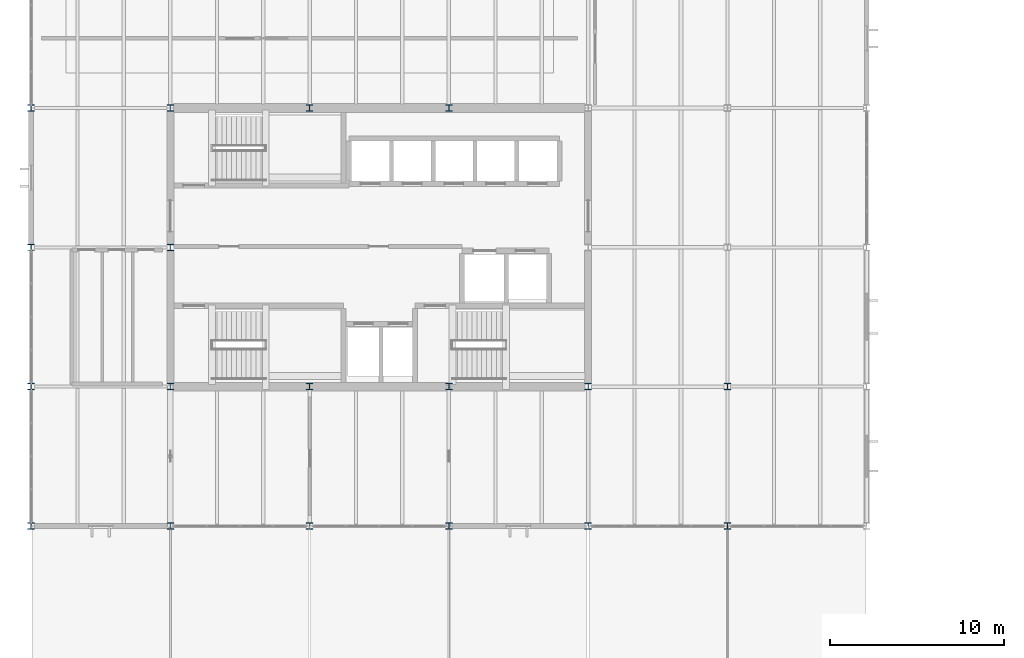
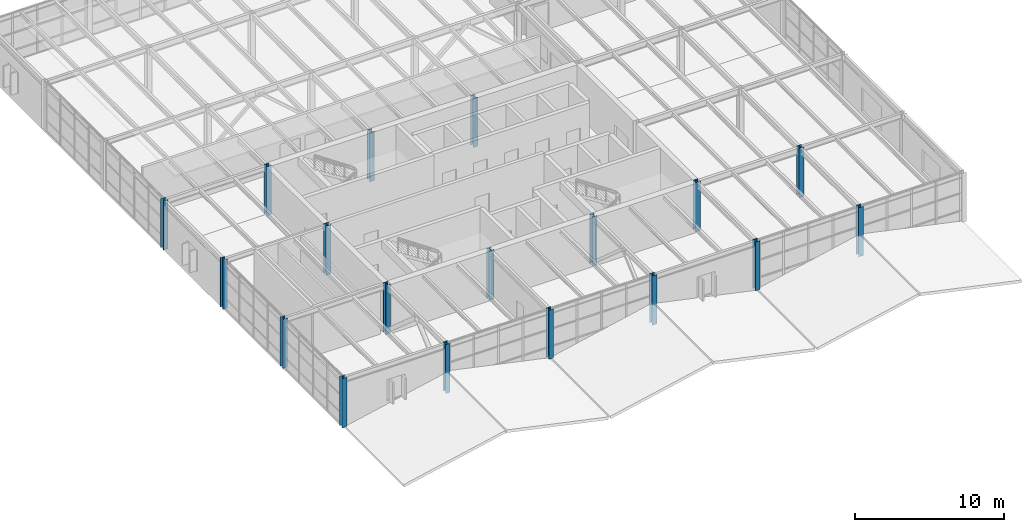
# One storey, part 1 of 34: 18 columns.
"""IFC4 building model written with IfcOpenShell, lengths in metres."""

from ifc_helpers import new_model, si_unit, direction, frame, origin, origin_2d, place, context, subcontext, project, spatial, i_section, extrude, material, material_profile, profile_set, type_object, element, save


model = new_model("IFC4")

# Units and contexts
model_context = context("Model", 3, precision=1e-05, world=origin(), true_north=direction((0.0, 1.0)))
body_context = subcontext(model_context, "Body", "Model", "MODEL_VIEW")
ifc_project = project(units=[si_unit("LENGTHUNIT", "METRE"), si_unit("AREAUNIT", "SQUARE_METRE"), si_unit("VOLUMEUNIT", "CUBIC_METRE"), si_unit("PLANEANGLEUNIT", "RADIAN"), si_unit("MASSUNIT", "GRAM", prefix="KILO")], contexts=[model_context])

# Site, building, storey
site_placement = place(None, origin())
site = spatial("IfcSite", under=ifc_project, at=site_placement, CompositionType="ELEMENT")
building_placement = place(site_placement, origin())
building = spatial("IfcBuilding", under=site, at=building_placement, Name="Varnela Railside Interchange", CompositionType="ELEMENT")
storey_placement = place(building_placement, frame((0.0, 0.0, 19.60009765625)))
storey = spatial("IfcBuildingStorey", under=building, at=storey_placement, Name="L04", CompositionType="ELEMENT", Elevation=19.60009765625)

# Columns
ifc_material = material(Name="Steel AR 350 (350 MPa)", Category="steel")
ifc_material_profile_1 = material_profile(ifc_material, i_section(OverallWidth=0.373046875, OverallDepth=0.367919921875, WebThickness=0.014892578125, FlangeThickness=0.02392578125, at=origin_2d()), Name="W360x179")
ifc_profile_set_1 = profile_set([ifc_material_profile_1], Name="Steel AR 350 (350 MPa)")
column_type_1 = type_object("IfcColumnType", Name="Superstructure Steel Col C-18", PredefinedType="COLUMN", material=ifc_profile_set_1)
for number, where, z_axis, x_axis, name in (
    (1, (12.0, 54.0, 0.0), (0.0, 0.0, 1.0), (1.0, 0.0, 0.0), "Column C-18 (L04) (CL-0935)"),
    (2, (12.0, 62.0, 0.0), (0.0, 0.0, 1.0), (1.0, 0.0, 0.0), "Column C-18 (L04) (CL-0936)"),
    (3, (12.0, 70.0, 0.0), (0.0, 0.0, 1.0), (1.0, 0.0, 0.0), "Column C-18 (L04) (CL-0937)"),
    (4, (20.0, 54.0, 0.0), (0.0, 0.0, 1.0), (1.0, 0.0, 0.0), "Column C-18 (L04) (CL-0942)"),
    (5, (20.0, 70.0, 0.0), (0.0, 0.0, 1.0), (1.0, 0.0, 0.0), "Column C-18 (L04) (CL-0943)"),
    (6, (28.0, 54.0, 0.0), (0.0, 0.0, 1.0), (1.0, 0.0, 0.0), "Column C-18 (L04) (CL-0948)"),
    (7, (28.0, 70.0, 0.0), (0.0, 0.0, 1.0), (1.0, 0.0, 0.0), "Column C-18 (L04) (CL-0949)"),
    (8, (36.0, 54.0, 0.0), (0.0, 0.0, 1.0), (1.0, 0.0, 0.0), "Column C-18 (L04) (CL-0954)"),
):
    element("IfcColumn", number, at=place(storey_placement, frame(where, z_axis=z_axis, x_axis=x_axis)), inside=storey, type_object=column_type_1, Name=name, PredefinedType="COLUMN", context=body_context, shape_type="SweptSolid", body=[
        extrude(i_section(OverallWidth=0.373046875, OverallDepth=0.367919921875, WebThickness=0.014892578125, FlangeThickness=0.02392578125, at=origin_2d()), origin(), (0.0, 0.0, 1.0), 4.02001953125),
    ])
ifc_material_profile_2 = material_profile(ifc_material, i_section(OverallWidth=0.3701171875, OverallDepth=0.360107421875, WebThickness=0.01220703125, FlangeThickness=0.019775390625, at=origin_2d()), Name="W360x147")
ifc_profile_set_2 = profile_set([ifc_material_profile_2], Name="Steel AR 350 (350 MPa)")
column_type_2 = type_object("IfcColumnType", Name="Superstructure Steel Col C-19", PredefinedType="COLUMN", material=ifc_profile_set_2)
for number, where, z_axis, x_axis, name in (
    (9, (4.0, 46.0, 0.0), (0.0, 0.0, 1.0), (1.0, 0.0, 0.0), "Column C-19 (L04) (CL-0927)"),
    (10, (4.0, 54.0, 0.0), (0.0, 0.0, 1.0), (1.0, 0.0, 0.0), "Column C-19 (L04) (CL-0928)"),
    (11, (4.0, 62.0, 0.0), (0.0, 0.0, 1.0), (1.0, 0.0, 0.0), "Column C-19 (L04) (CL-0929)"),
    (12, (4.0, 70.0, 0.0), (0.0, 0.0, 1.0), (1.0, 0.0, 0.0), "Column C-19 (L04) (CL-0930)"),
    (13, (12.0, 46.0, 0.0), (0.0, 0.0, 1.0), (1.0, 0.0, 0.0), "Column C-19 (L04) (CL-0934)"),
    (14, (20.0, 46.0, 0.0), (0.0, 0.0, 1.0), (1.0, 0.0, 0.0), "Column C-19 (L04) (CL-0941)"),
    (15, (28.0, 46.0, 0.0), (0.0, 0.0, 1.0), (1.0, 0.0, 0.0), "Column C-19 (L04) (CL-0947)"),
    (16, (36.0, 46.0, 0.0), (0.0, 0.0, 1.0), (1.0, 0.0, 0.0), "Column C-19 (L04) (CL-0953)"),
    (17, (44.0, 46.0, 0.0), (0.0, 0.0, 1.0), (1.0, 0.0, 0.0), "Column C-19 (L04) (CL-0960)"),
    (18, (44.0, 54.0, 0.0), (0.0, 0.0, 1.0), (1.0, 0.0, 0.0), "Column C-19 (L04) (CL-0961)"),
):
    element("IfcColumn", number, at=place(storey_placement, frame(where, z_axis=z_axis, x_axis=x_axis)), inside=storey, type_object=column_type_2, Name=name, PredefinedType="COLUMN", context=body_context, shape_type="SweptSolid", body=[
        extrude(i_section(OverallWidth=0.3701171875, OverallDepth=0.360107421875, WebThickness=0.01220703125, FlangeThickness=0.019775390625, at=origin_2d()), origin(), (0.0, 0.0, 1.0), 4.02001953125),
    ])

save(model, "model.ifc")
